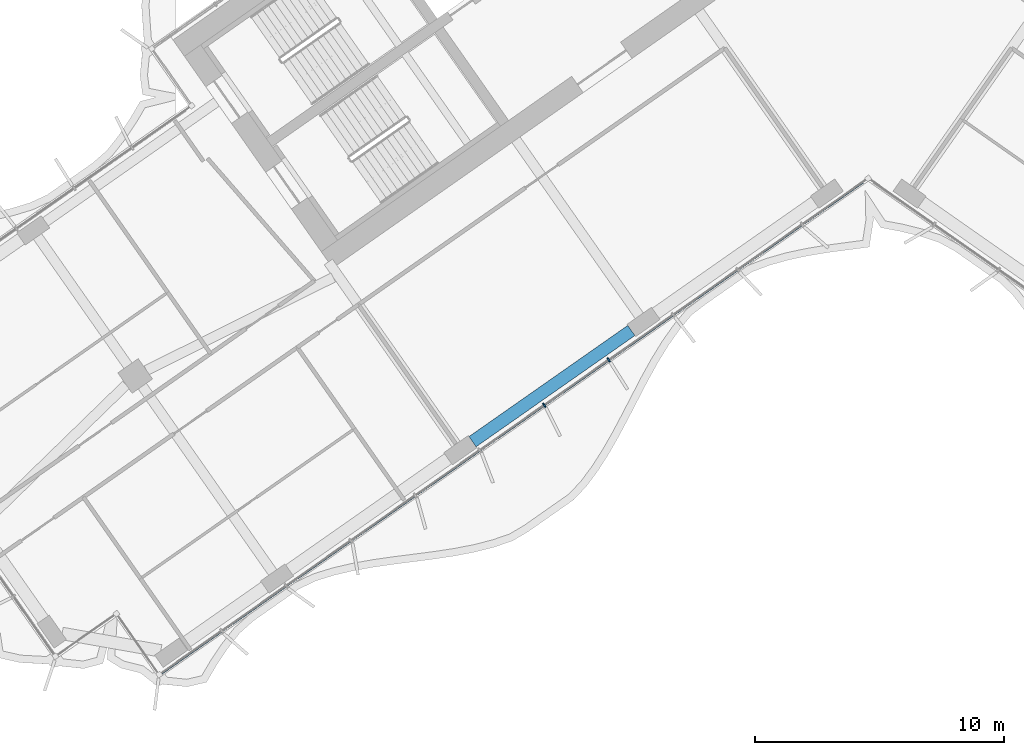
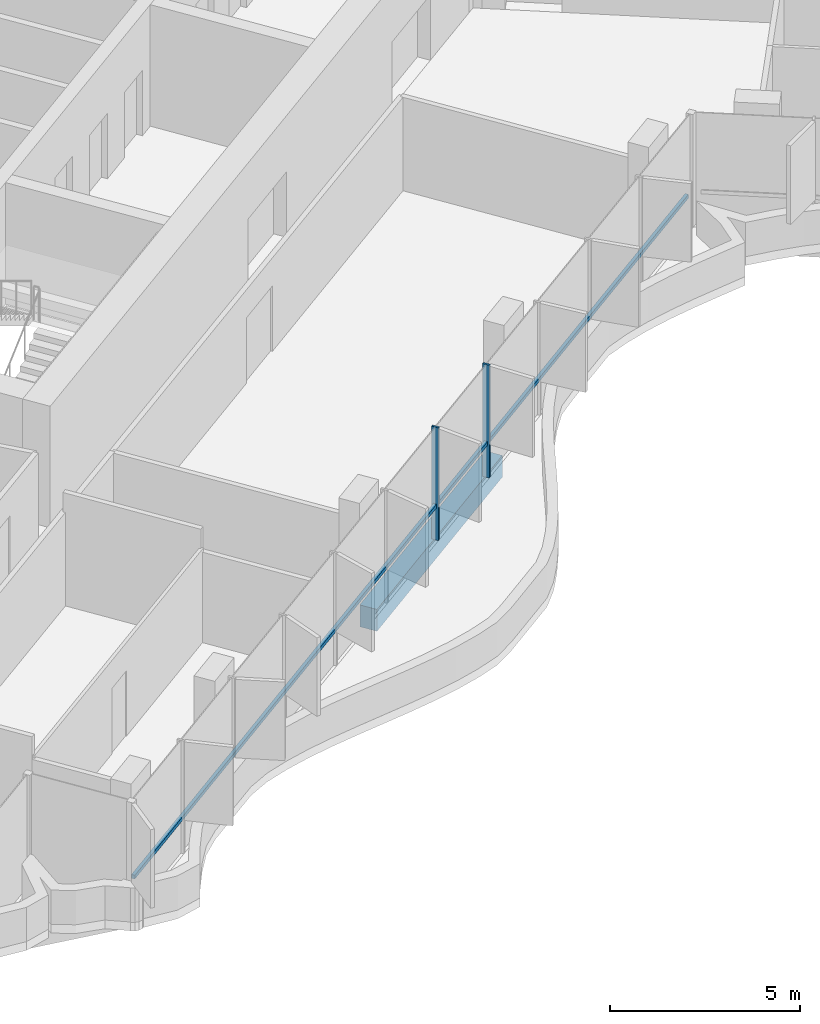
# One storey, part 3 of 22: 3 members, 1 beam, 1 element without a shape of its own.
"""IFC4 building model written with IfcOpenShell, lengths in metres."""

from ifc_helpers import new_model, si_unit, direction, frame, origin, origin_2d, place, context, subcontext, project, spatial, rectangle, extrude, material, material_profile, profile_set, type_object, element, aggregate, save


model = new_model("IFC4")

# Units and contexts
model_context = context("Model", 3, precision=1e-05, world=origin(), true_north=direction((0.0, 1.0)))
body_context = subcontext(model_context, "Body", "Model", "MODEL_VIEW")
ifc_project = project(units=[si_unit("LENGTHUNIT", "METRE"), si_unit("AREAUNIT", "SQUARE_METRE"), si_unit("VOLUMEUNIT", "CUBIC_METRE"), si_unit("PLANEANGLEUNIT", "RADIAN"), si_unit("MASSUNIT", "GRAM", prefix="KILO")], contexts=[model_context])

# Site, building, storey
site_placement = place(None, origin())
site = spatial("IfcSite", under=ifc_project, at=site_placement, CompositionType="ELEMENT")
building_placement = place(site_placement, origin())
building = spatial("IfcBuilding", under=site, at=building_placement, Name="Tel Ilan Convention Tower", CompositionType="ELEMENT")
storey_placement = place(building_placement, frame((0.0, 0.0, 135.89990234375)))
storey = spatial("IfcBuildingStorey", under=building, at=storey_placement, Name="L30", CompositionType="ELEMENT", Elevation=135.89990234375)

# Beam
ifc_material_1 = material(Name="Concrete C40/50", Category="concrete")
ifc_material_profile_1 = material_profile(ifc_material_1, rectangle(XDim=0.5, YDim=0.699951171875, at=origin_2d()), Name="RC 500x700")
ifc_profile_set_1 = profile_set([ifc_material_profile_1], Name="Concrete C40/50")
beam_type = type_object("IfcBeamType", Name="Beam RC 500x700 Concrete C40/50", PredefinedType="BEAM", material=ifc_profile_set_1)
beam_placement = place(storey_placement, frame((-9.529052734375, -18.819091796875, -0.6298828125), z_axis=(-0.819153977895, -0.573573674866, 0.0), x_axis=(0.573573674866, -0.819153977895, 0.0)))
element("IfcBeam", 1, at=beam_placement, inside=storey, type_object=beam_type, Name="L30 beam W-W-F2-W-F3", PredefinedType="BEAM", context=body_context, shape_type="SweptSolid", body=[
    extrude(rectangle(XDim=0.5, YDim=0.699951171875, at=origin_2d()), origin(), (0.0, 0.0, 1.0), 7.800048828125),
])

# Curtain wall, members
ifc_material_2 = material(Name="Aluminium, bronze anodised", Category="aluminium")
curtain_wall_type = type_object("IfcCurtainWallType", Name="CW4 STICK CURTAIN WALL, OFFICE TINTED GLASS", PredefinedType="NOTDEFINED", material=ifc_material_2)
curtain_wall_placement = place(storey_placement, origin())
curtain_wall = element("IfcCurtainWall", 2, at=curtain_wall_placement, inside=storey, type_object=curtain_wall_type, Name="Curtain wall CW4-24.02", PredefinedType="NOTDEFINED")
ifc_material_3 = material(Name="Aluminium, bronze anodised", Category="aluminium")
ifc_material_profile_2 = material_profile(ifc_material_3, rectangle(XDim=0.06005859375, YDim=0.199951171875, at=origin_2d()), Name="CW MULLION 60x200")
ifc_profile_set_2 = profile_set([ifc_material_profile_2], Name="Aluminium, bronze anodised")
member_type_1 = type_object("IfcMemberType", Name="CW MULLION 60x200", PredefinedType="MULLION", material=ifc_profile_set_2)
member_1_placement = place(storey_placement, frame((-13.03271484375, -21.821533203125, 0.0), z_axis=(0.0, 0.0, 1.0), x_axis=(0.819152044289, 0.573576436351, 0.0)))
member_1 = element("IfcMember", 3, at=member_1_placement, type_object=member_type_1, Name="Mullion", PredefinedType="MULLION", context=body_context, shape_type="SweptSolid", body=[
    extrude(rectangle(XDim=0.06005859375, YDim=0.199951171875, at=origin_2d()), origin(), (0.0, 0.0, 1.0), 3.6201171875),
])
member_2_placement = place(storey_placement, frame((-10.4375, -20.004638671875, 0.0), z_axis=(0.0, 0.0, 1.0), x_axis=(0.819152044289, 0.573576436351, 0.0)))
member_2 = element("IfcMember", 4, at=member_2_placement, type_object=member_type_1, Name="Mullion", PredefinedType="MULLION", context=body_context, shape_type="SweptSolid", body=[
    extrude(rectangle(XDim=0.06005859375, YDim=0.199951171875, at=origin_2d()), origin(), (0.0, 0.0, 1.0), 3.6201171875),
])
ifc_material_4 = material(Name="Aluminium, bronze anodised", Category="aluminium")
ifc_material_profile_3 = material_profile(ifc_material_4, rectangle(XDim=0.10009765625, YDim=0.1201171875, at=origin_2d()), Name="CW TRANSOM 100x120")
ifc_profile_set_3 = profile_set([ifc_material_profile_3], Name="Aluminium, bronze anodised")
member_type_2 = type_object("IfcMemberType", Name="CW TRANSOM 100x120", PredefinedType="USERDEFINED", material=ifc_profile_set_3)
member_3_placement = place(storey_placement, frame((-28.439208984375, -32.609375, 1.10009765625), z_axis=(0.819151003602, 0.573577922604, 0.0), x_axis=(-0.573577922604, 0.819151003602, 0.0)))
member_3 = element("IfcMember", 5, at=member_3_placement, type_object=member_type_2, Name="Transom", ObjectType="TRANSOM", PredefinedType="USERDEFINED", context=body_context, shape_type="SweptSolid", body=[
    extrude(rectangle(XDim=0.10009765625, YDim=0.1201171875, at=origin_2d()), origin(), (0.0, 0.0, 1.0), 34.447998046875),
])
aggregate(curtain_wall, [member_1, member_2, member_3])

save(model, "model.ifc")
